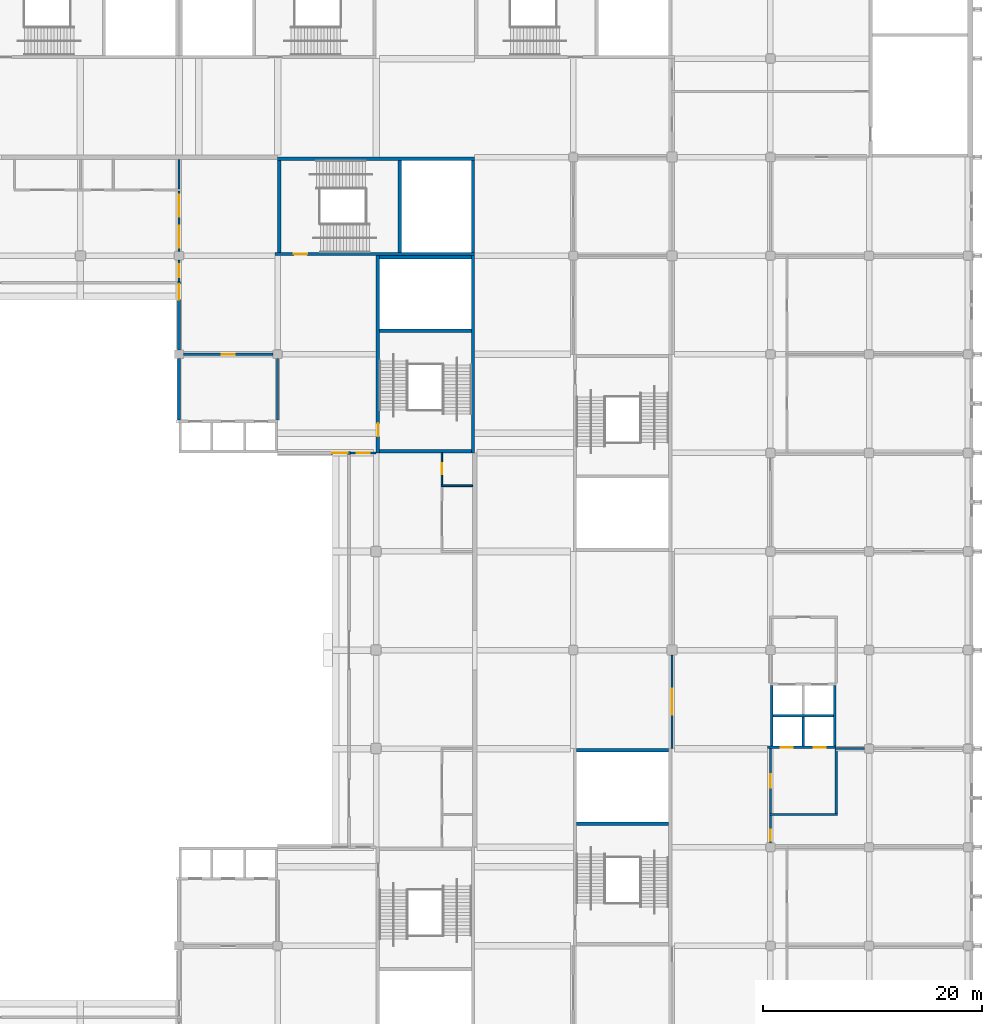
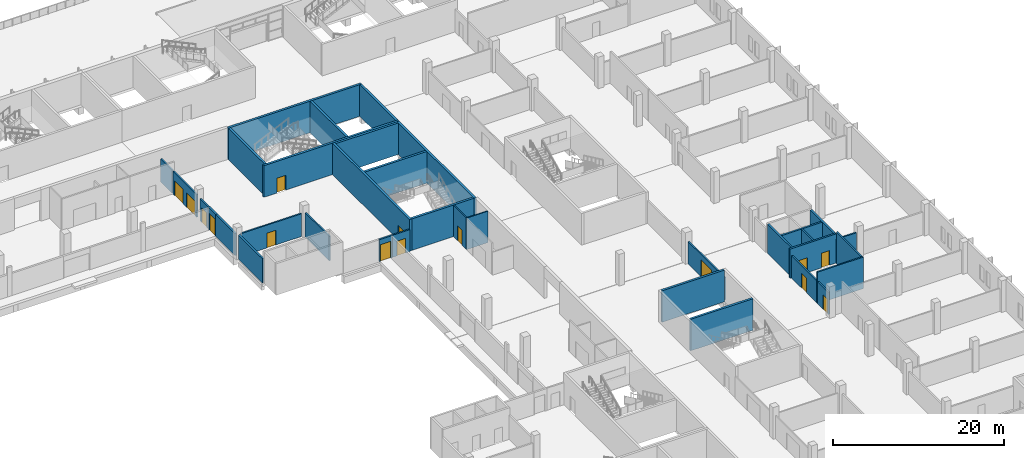
# One storey, part 103 of 168: 35 walls, 15 doors, 15 openings.
"""IFC4 building model written with IfcOpenShell, lengths in metres."""

from ifc_helpers import new_model, si_unit, direction, frame, frame_2d, origin, place, context, subcontext, project, spatial, rectangle, extrude, material, layer, layer_set, type_object, element, fill, save


model = new_model("IFC4")

# Units and contexts
model_context = context("Model", 3, precision=1e-05, world=origin(), true_north=direction((0.0, 1.0)))
body_context = subcontext(model_context, "Body", "Model", "MODEL_VIEW")
ifc_project = project(units=[si_unit("LENGTHUNIT", "METRE"), si_unit("AREAUNIT", "SQUARE_METRE"), si_unit("VOLUMEUNIT", "CUBIC_METRE"), si_unit("PLANEANGLEUNIT", "RADIAN"), si_unit("MASSUNIT", "GRAM", prefix="KILO")], contexts=[model_context])

# Site, building, storey
site_placement = place(None, origin())
site = spatial("IfcSite", under=ifc_project, at=site_placement, CompositionType="ELEMENT")
building_placement = place(site_placement, origin())
building = spatial("IfcBuilding", under=site, at=building_placement, Name="Silverbay Arena", CompositionType="ELEMENT")
storey_placement = place(building_placement, frame((0.0, 0.0, 7.0)))
storey = spatial("IfcBuildingStorey", under=building, at=storey_placement, Name="L01", CompositionType="ELEMENT", Elevation=7.0)

# Wall, opening, door
ifc_material_1 = material(Name="Concrete Grade C45", Category="concrete")
ifc_layer_1 = layer(ifc_material_1, 0.25)
ifc_layer_set_1 = layer_set([ifc_layer_1], Name="Concrete Grade C45")
wall_type_1 = type_object("IfcWallType", Name="Bowl enclosure wall RC 250 EI 120", PredefinedType="SOLIDWALL", material=ifc_layer_set_1)
wall_1_placement = place(storey_placement, frame((162.0, 112.89990234375, 0.0), z_axis=(0.0, 0.0, 1.0), x_axis=(0.0, 1.0, 0.0)))
wall_1 = element("IfcWall", 1, at=wall_1_placement, inside=storey, type_object=wall_type_1, Name="gangway North lower stand end", PredefinedType="SOLIDWALL", context=body_context, shape_type="SweptSolid", body=[
    extrude(rectangle(XDim=1.75, YDim=0.25, at=frame_2d((0.875, 0.0))), origin(), (0.0, 0.0, 1.0), 3.14990234375),
])
opening_1_placement = place(wall_1_placement, frame((0.10009765625, 0.0, 0.0)))
opening_1 = element("IfcOpeningElement", 2, at=opening_1_placement, cuts=wall_1, Name="Opening L01-154", PredefinedType="OPENING", context=body_context, shape_type="SweptSolid", body=[
    extrude(rectangle(XDim=1.39990234375, YDim=2.39990234375, at=frame_2d((0.699951171875, 1.199951171875))), frame((0.0, 0.135009765625, 0.0), z_axis=(0.0, -1.0, 0.0), x_axis=(1.0, 0.0, 0.0)), (0.0, 0.0, 1.0), 0.27001953125),
])
ifc_material_2 = material(Name="Steel", Category="steel")
door_type_1 = type_object("IfcDoorType", Name="Fire door set 1400 x 2400 FD120S gangway", OperationType="DOUBLE_DOOR_SINGLE_SWING", PredefinedType="DOOR", material=ifc_material_2)
door_1_placement = place(opening_1_placement, frame((1.39990234375, 0.0, 0.0), z_axis=(0.0, 0.0, 1.0), x_axis=(-1.0, 0.0, 0.0)))
door_1 = element("IfcDoor", 3, at=door_1_placement, inside=storey, type_object=door_type_1, Name="Fire door set L01 gangway North lower stand end", OperationType="DOUBLE_DOOR_SINGLE_SWING", OverallHeight=2.39990234375, OverallWidth=1.39990234375, PredefinedType="DOOR", context=body_context, shape_type="SweptSolid", body=[
    extrude(rectangle(XDim=1.39990234375, YDim=2.39990234375, at=frame_2d((0.699951171875, 1.199951171875))), frame((0.0, 0.02490234375, 0.0), z_axis=(0.0, -1.0, 0.0), x_axis=(1.0, 0.0, 0.0)), (0.0, 0.0, 1.0), 0.050048828125),
])
fill(opening_1, door_1)

wall_2_placement = place(storey_placement, frame((175.89990234375, 99.0, 0.0), z_axis=(0.0, 0.0, 1.0), x_axis=(1.0, 0.0, 0.0)))
wall_2 = element("IfcWall", 4, at=wall_2_placement, inside=storey, type_object=wall_type_1, Name="gangway East lower stand end", PredefinedType="SOLIDWALL", context=body_context, shape_type="SweptSolid", body=[
    extrude(rectangle(XDim=1.75, YDim=0.25, at=frame_2d((0.875, 0.0))), origin(), (0.0, 0.0, 1.0), 3.14990234375),
])
opening_2_placement = place(wall_2_placement, frame((0.10009765625, 0.0, 0.0)))
opening_2 = element("IfcOpeningElement", 5, at=opening_2_placement, cuts=wall_2, Name="Opening L01-158", PredefinedType="OPENING", context=body_context, shape_type="SweptSolid", body=[
    extrude(rectangle(XDim=1.39990234375, YDim=2.39990234375, at=frame_2d((0.699951171875, 1.199951171875))), frame((0.0, 0.135009765625, 0.0), z_axis=(0.0, -1.0, 0.0), x_axis=(1.0, 0.0, 0.0)), (0.0, 0.0, 1.0), 0.27001953125),
])
door_2_placement = place(opening_2_placement, origin())
door_2 = element("IfcDoor", 6, at=door_2_placement, inside=storey, type_object=door_type_1, Name="Fire door set L01 gangway East lower stand end", OperationType="DOUBLE_DOOR_SINGLE_SWING", OverallHeight=2.39990234375, OverallWidth=1.39990234375, PredefinedType="DOOR", context=body_context, shape_type="SweptSolid", body=[
    extrude(rectangle(XDim=1.39990234375, YDim=2.39990234375, at=frame_2d((0.699951171875, 1.199951171875))), frame((0.0, 0.02490234375, 0.0), z_axis=(0.0, -1.0, 0.0), x_axis=(1.0, 0.0, 0.0)), (0.0, 0.0, 1.0), 0.050048828125),
])
fill(opening_2, door_2)

# Walls
wall_3_placement = place(storey_placement, frame((162.0, 102.0, 0.0), z_axis=(0.0, 0.0, 1.0), x_axis=(0.0, 1.0, 0.0)))
element("IfcWall", 7, at=wall_3_placement, inside=storey, type_object=wall_type_1, Name="Bowl enclosure wall, corner block NE-x", PredefinedType="SOLIDWALL", context=body_context, shape_type="SweptSolid", body=[
    extrude(rectangle(XDim=5.60009765625, YDim=0.25, at=frame_2d((2.800048828125, 0.0))), origin(), (0.0, 0.0, 1.0), 3.449951171875),
])
wall_4_placement = place(storey_placement, frame((162.0, 108.39990234375, 0.0), z_axis=(0.0, 0.0, 1.0), x_axis=(0.0, 1.0, 0.0)))
element("IfcWall", 8, at=wall_4_placement, inside=storey, type_object=wall_type_1, Name="Bowl enclosure wall, corner block NE-x", PredefinedType="SOLIDWALL", context=body_context, shape_type="SweptSolid", body=[
    extrude(rectangle(XDim=4.5, YDim=0.25, at=frame_2d((2.25, 0.0))), origin(), (0.0, 0.0, 1.0), 3.14990234375),
])
ifc_material_3 = material(Name="Concrete Grade C45", Category="concrete")
ifc_layer_2 = layer(ifc_material_3, 0.300048828125)
ifc_layer_set_2 = layer_set([ifc_layer_2], Name="Concrete Grade C45")
wall_type_2 = type_object("IfcWallType", Name="Core wall RC 300 EI 120", PredefinedType="SHEAR", material=ifc_layer_set_2)
for number, where, z_axis, x_axis, name in (
    (9, (198.300048828125, 71.85009765625, 0.0), (0.0, 0.0, 1.0), (1.0, 0.0, 0.0), "Core wall ST-E1 L01 end 2"),
    (10, (198.300048828125, 65.14990234375, 0.0), (0.0, 0.0, 1.0), (1.0, 0.0, 0.0), "Core wall ST-E1 L01 stair enclosure"),
):
    element("IfcWall", number, at=place(storey_placement, frame(where, z_axis=z_axis, x_axis=x_axis)), inside=storey, type_object=wall_type_2, Name=name, PredefinedType="SHEAR", context=body_context, shape_type="SweptSolid", body=[
        extrude(rectangle(XDim=8.39990234375, YDim=0.300048828125, at=frame_2d((4.199951171875, 0.0))), origin(), (0.0, 0.0, 1.0), 4.5),
    ])

# Wall, opening, door
wall_5_placement = place(storey_placement, frame((170.75, 117.14990234375, 0.0), z_axis=(0.0, 0.0, 1.0), x_axis=(1.0, 0.0, 0.0)))
wall_5 = element("IfcWall", 11, at=wall_5_placement, inside=storey, type_object=wall_type_2, Name="Core wall ST-NE1 L01 door side", PredefinedType="SHEAR", context=body_context, shape_type="SweptSolid", body=[
    extrude(rectangle(XDim=18.25, YDim=0.300048828125, at=frame_2d((9.125, 0.0))), origin(), (0.0, 0.0, 1.0), 4.5),
])
opening_3_placement = place(wall_5_placement, frame((1.75, 0.0, 0.0)))
opening_3 = element("IfcOpeningElement", 12, at=opening_3_placement, cuts=wall_5, Name="Opening L01-123", PredefinedType="OPENING", context=body_context, shape_type="SweptSolid", body=[
    extrude(rectangle(XDim=1.199951171875, YDim=2.10009765625, at=frame_2d((0.60009765625, 1.050048828125))), frame((0.0, 0.16015625, 0.0), z_axis=(0.0, -1.0, 0.0), x_axis=(1.0, 0.0, 0.0)), (0.0, 0.0, 1.0), 0.320068359375),
])
ifc_material_4 = material(Name="Steel fire door", Category="steel")
door_type_2 = type_object("IfcDoorType", Name="Stair door 1200 x 2100 fire door", OperationType="SINGLE_SWING_LEFT", PredefinedType="DOOR", material=ifc_material_4)
door_3_placement = place(opening_3_placement, origin())
door_3 = element("IfcDoor", 13, at=door_3_placement, inside=storey, type_object=door_type_2, Name="Stair door ST-NE1 L01", OperationType="SINGLE_SWING_LEFT", OverallHeight=2.10009765625, OverallWidth=1.199951171875, PredefinedType="DOOR", context=body_context, shape_type="SweptSolid", body=[
    extrude(rectangle(XDim=1.199951171875, YDim=2.10009765625, at=frame_2d((0.60009765625, 1.050048828125))), frame((0.0, 0.02490234375, 0.0), z_axis=(0.0, -1.0, 0.0), x_axis=(1.0, 0.0, 0.0)), (0.0, 0.0, 1.0), 0.050048828125),
])
fill(opening_3, door_3)

# Walls
wall_6_placement = place(storey_placement, frame((171.0, 125.85009765625, 0.0), z_axis=(0.0, 0.0, 1.0), x_axis=(1.0, 0.0, 0.0)))
element("IfcWall", 14, at=wall_6_placement, inside=storey, type_object=wall_type_2, Name="Core wall ST-NE1 L01 far side", PredefinedType="SHEAR", context=body_context, shape_type="SweptSolid", body=[
    extrude(rectangle(XDim=18.0, YDim=0.300048828125, at=frame_2d((9.0, 0.0))), origin(), (0.0, 0.0, 1.0), 4.5),
])
for number, where, z_axis, x_axis, name in (
    (15, (171.14990234375, 117.300048828125, 0.0), (0.0, 0.0, 1.0), (0.0, 1.0, 0.0), "Core wall ST-NE1 L01 end 1"),
    (16, (188.85009765625, 117.300048828125, 0.0), (0.0, 0.0, 1.0), (0.0, 1.0, 0.0), "Core wall ST-NE1 L01 end 2"),
    (17, (182.14990234375, 117.300048828125, 0.0), (0.0, 0.0, 1.0), (0.0, 1.0, 0.0), "Core wall ST-NE1 L01 stair enclosure"),
):
    element("IfcWall", number, at=place(storey_placement, frame(where, z_axis=z_axis, x_axis=x_axis)), inside=storey, type_object=wall_type_2, Name=name, PredefinedType="SHEAR", context=body_context, shape_type="SweptSolid", body=[
        extrude(rectangle(XDim=8.39990234375, YDim=0.300048828125, at=frame_2d((4.199951171875, 0.0))), origin(), (0.0, 0.0, 1.0), 4.5),
    ])

# Wall, opening, door
wall_7_placement = place(storey_placement, frame((180.14990234375, 99.0, 0.0), z_axis=(0.0, 0.0, 1.0), x_axis=(0.0, 1.0, 0.0)))
wall_7 = element("IfcWall", 18, at=wall_7_placement, inside=storey, type_object=wall_type_2, Name="Core wall ST-NE2 L01 door side", PredefinedType="SHEAR", context=body_context, shape_type="SweptSolid", body=[
    extrude(rectangle(XDim=18.0, YDim=0.300048828125, at=frame_2d((9.0, 0.0))), origin(), (0.0, 0.0, 1.0), 4.5),
])
opening_4_placement = place(wall_7_placement, frame((1.5, 0.0, 0.0)))
opening_4 = element("IfcOpeningElement", 19, at=opening_4_placement, cuts=wall_7, Name="Opening L01-124", PredefinedType="OPENING", context=body_context, shape_type="SweptSolid", body=[
    extrude(rectangle(XDim=1.199951171875, YDim=2.10009765625, at=frame_2d((0.60009765625, 1.050048828125))), frame((0.0, 0.16015625, 0.0), z_axis=(0.0, -1.0, 0.0), x_axis=(1.0, 0.0, 0.0)), (0.0, 0.0, 1.0), 0.320068359375),
])
door_4_placement = place(opening_4_placement, frame((1.199951171875, 0.0, 0.0), z_axis=(0.0, 0.0, 1.0), x_axis=(-1.0, 0.0, 0.0)))
door_4 = element("IfcDoor", 20, at=door_4_placement, inside=storey, type_object=door_type_2, Name="Stair door ST-NE2 L01", OperationType="SINGLE_SWING_RIGHT", OverallHeight=2.10009765625, OverallWidth=1.199951171875, PredefinedType="DOOR", context=body_context, shape_type="SweptSolid", body=[
    extrude(rectangle(XDim=1.199951171875, YDim=2.10009765625, at=frame_2d((0.60009765625, 1.050048828125))), frame((0.0, 0.02490234375, 0.0), z_axis=(0.0, -1.0, 0.0), x_axis=(1.0, 0.0, 0.0)), (0.0, 0.0, 1.0), 0.050048828125),
])
fill(opening_4, door_4)

# Walls
wall_8_placement = place(storey_placement, frame((188.85009765625, 99.0, 0.0), z_axis=(0.0, 0.0, 1.0), x_axis=(0.0, 1.0, 0.0)))
element("IfcWall", 21, at=wall_8_placement, inside=storey, type_object=wall_type_2, Name="Core wall ST-NE2 L01 far side", PredefinedType="SHEAR", context=body_context, shape_type="SweptSolid", body=[
    extrude(rectangle(XDim=18.0, YDim=0.300048828125, at=frame_2d((9.0, 0.0))), origin(), (0.0, 0.0, 1.0), 4.5),
])
for number, where, z_axis, x_axis, name in (
    (22, (180.300048828125, 99.14990234375, 0.0), (0.0, 0.0, 1.0), (1.0, 0.0, 0.0), "Core wall ST-NE2 L01 end 1"),
    (23, (180.300048828125, 116.85009765625, 0.0), (0.0, 0.0, 1.0), (1.0, 0.0, 0.0), "Core wall ST-NE2 L01 end 2"),
    (24, (180.300048828125, 110.14990234375, 0.0), (0.0, 0.0, 1.0), (1.0, 0.0, 0.0), "Core wall ST-NE2 L01 stair enclosure"),
):
    element("IfcWall", number, at=place(storey_placement, frame(where, z_axis=z_axis, x_axis=x_axis)), inside=storey, type_object=wall_type_2, Name=name, PredefinedType="SHEAR", context=body_context, shape_type="SweptSolid", body=[
        extrude(rectangle(XDim=8.39990234375, YDim=0.300048828125, at=frame_2d((4.199951171875, 0.0))), origin(), (0.0, 0.0, 1.0), 4.5),
    ])
ifc_material_5 = material(Name="Concrete Grade C45", Category="concrete")
ifc_layer_3 = layer(ifc_material_5, 0.199951171875)
ifc_layer_set_3 = layer_set([ifc_layer_3], Name="Concrete Grade C45")
wall_type_3 = type_object("IfcWallType", Name="Lift shaft divider RC 200 EI 120", PredefinedType="SHEAR", material=ifc_layer_set_3)
wall_9_placement = place(storey_placement, frame((219.0, 72.25, 0.0), z_axis=(0.0, 0.0, 1.0), x_axis=(0.0, 1.0, 0.0)))
element("IfcWall", 25, at=wall_9_placement, inside=storey, type_object=wall_type_3, Name="Lift shaft divider LB-EG L01 s", PredefinedType="SHEAR", context=body_context, shape_type="SweptSolid", body=[
    extrude(rectangle(XDim=2.625, YDim=0.199951171875, at=frame_2d((1.3125, 0.0))), origin(), (0.0, 0.0, 1.0), 4.14990234375),
])

# Wall, openings, doors
ifc_material_6 = material(Name="Concrete Grade C45", Category="concrete")
ifc_layer_4 = layer(ifc_material_6, 0.25)
ifc_layer_set_4 = layer_set([ifc_layer_4], Name="Concrete Grade C45")
wall_type_4 = type_object("IfcWallType", Name="Lift shaft wall RC 250 EI 120", PredefinedType="SHEAR", material=ifc_layer_set_4)
wall_10_placement = place(storey_placement, frame((215.75, 72.125, 0.0), z_axis=(0.0, 0.0, 1.0), x_axis=(1.0, 0.0, 0.0)))
wall_10 = element("IfcWall", 26, at=wall_10_placement, inside=storey, type_object=wall_type_4, Name="Lift shaft wall LB-EG L01 south", PredefinedType="SHEAR", context=body_context, shape_type="SweptSolid", body=[
    extrude(rectangle(XDim=6.25, YDim=0.25, at=frame_2d((3.125, 0.0))), origin(), (0.0, 0.0, 1.0), 4.14990234375),
])
opening_5_placement = place(wall_10_placement, frame((1.199951171875, 0.0, 0.0)))
opening_5 = element("IfcOpeningElement", 27, at=opening_5_placement, cuts=wall_10, Name="Opening L01-145", PredefinedType="OPENING", context=body_context, shape_type="SweptSolid", body=[
    extrude(rectangle(XDim=1.10009765625, YDim=2.10009765625, at=frame_2d((0.550048828125, 1.050048828125))), frame((0.0, 0.135009765625, 0.0), z_axis=(0.0, -1.0, 0.0), x_axis=(1.0, 0.0, 0.0)), (0.0, 0.0, 1.0), 0.27001953125),
])
opening_6_placement = place(wall_10_placement, frame((4.199951171875, 0.0, 0.0)))
opening_6 = element("IfcOpeningElement", 28, at=opening_6_placement, cuts=wall_10, Name="Opening L01-146", PredefinedType="OPENING", context=body_context, shape_type="SweptSolid", body=[
    extrude(rectangle(XDim=1.10009765625, YDim=2.10009765625, at=frame_2d((0.550048828125, 1.050048828125))), frame((0.0, 0.135009765625, 0.0), z_axis=(0.0, -1.0, 0.0), x_axis=(1.0, 0.0, 0.0)), (0.0, 0.0, 1.0), 0.27001953125),
])
ifc_material_7 = material(Name="Stainless steel", Category="steel")
door_type_3 = type_object("IfcDoorType", Name="LD1 lift landing door 1100 x 2100", OperationType="DOUBLE_DOOR_SLIDING", PredefinedType="DOOR", material=ifc_material_7)
door_5_placement = place(opening_5_placement, origin())
door_5 = element("IfcDoor", 29, at=door_5_placement, inside=storey, type_object=door_type_3, Name="Lift landing door LF20 L01", OperationType="DOUBLE_DOOR_SLIDING", OverallHeight=2.10009765625, OverallWidth=1.10009765625, PredefinedType="DOOR", context=body_context, shape_type="SweptSolid", body=[
    extrude(rectangle(XDim=1.10009765625, YDim=2.10009765625, at=frame_2d((0.550048828125, 1.050048828125))), frame((0.0, 0.02490234375, 0.0), z_axis=(0.0, -1.0, 0.0), x_axis=(1.0, 0.0, 0.0)), (0.0, 0.0, 1.0), 0.050048828125),
])
fill(opening_5, door_5)
door_6_placement = place(opening_6_placement, origin())
door_6 = element("IfcDoor", 30, at=door_6_placement, inside=storey, type_object=door_type_3, Name="Lift landing door LF21 L01", OperationType="DOUBLE_DOOR_SLIDING", OverallHeight=2.10009765625, OverallWidth=1.10009765625, PredefinedType="DOOR", context=body_context, shape_type="SweptSolid", body=[
    extrude(rectangle(XDim=1.10009765625, YDim=2.10009765625, at=frame_2d((0.550048828125, 1.050048828125))), frame((0.0, 0.02490234375, 0.0), z_axis=(0.0, -1.0, 0.0), x_axis=(1.0, 0.0, 0.0)), (0.0, 0.0, 1.0), 0.050048828125),
])
fill(opening_6, door_6)

# Walls
wall_11_placement = place(storey_placement, frame((216.0, 75.0, 0.0), z_axis=(0.0, 0.0, 1.0), x_axis=(1.0, 0.0, 0.0)))
element("IfcWall", 31, at=wall_11_placement, inside=storey, type_object=wall_type_4, Name="Lift shaft wall LB-EG L01 middle", PredefinedType="SHEAR", context=body_context, shape_type="SweptSolid", body=[
    extrude(rectangle(XDim=6.0, YDim=0.25, at=frame_2d((3.0, 0.0))), origin(), (0.0, 0.0, 1.0), 4.14990234375),
])
for number, where, z_axis, x_axis, name in (
    (32, (216.125, 72.25, 0.0), (0.0, 0.0, 1.0), (0.0, 1.0, 0.0), "Lift shaft wall LB-EG L01 end"),
    (33, (221.875, 72.25, 0.0), (0.0, 0.0, 1.0), (0.0, 1.0, 0.0), "Lift shaft wall LB-EG L01 end"),
):
    element("IfcWall", number, at=place(storey_placement, frame(where, z_axis=z_axis, x_axis=x_axis)), inside=storey, type_object=wall_type_4, Name=name, PredefinedType="SHEAR", context=body_context, shape_type="SweptSolid", body=[
        extrude(rectangle(XDim=5.5, YDim=0.25, at=frame_2d((2.75, 0.0))), origin(), (0.0, 0.0, 1.0), 4.14990234375),
    ])
ifc_material_8 = material(Name="Gypsum board partition on steel studs", Category="steel")
ifc_layer_5 = layer(ifc_material_8, 0.14990234375)
ifc_layer_set_5 = layer_set([ifc_layer_5], Name="Gypsum board partition on steel studs")
wall_type_5 = type_object("IfcWallType", Name="Partition 150 EI 60", PredefinedType="PARTITIONING", material=ifc_layer_set_5)
wall_12_placement = place(storey_placement, frame((185.925048828125, 96.0, 0.0), z_axis=(0.0, 0.0, 1.0), x_axis=(1.0, 0.0, 0.0)))
element("IfcWall", 34, at=wall_12_placement, inside=storey, type_object=wall_type_5, Name="Partition wall", PredefinedType="PARTITIONING", context=body_context, shape_type="SweptSolid", body=[
    extrude(rectangle(XDim=2.875, YDim=0.14990234375, at=frame_2d((1.4375, 0.0))), origin(), (0.0, 0.0, 1.0), 4.5),
])

# Wall, opening, door
wall_13_placement = place(storey_placement, frame((186.0, 96.074951171875, 0.0), z_axis=(0.0, 0.0, 1.0), x_axis=(0.0, 1.0, 0.0)))
wall_13 = element("IfcWall", 35, at=wall_13_placement, inside=storey, type_object=wall_type_5, Name="Partition wall", PredefinedType="PARTITIONING", context=body_context, shape_type="SweptSolid", body=[
    extrude(rectangle(XDim=2.925048828125, YDim=0.14990234375, at=frame_2d((1.46240234375, 0.0))), origin(), (0.0, 0.0, 1.0), 4.5),
])
opening_7_placement = place(wall_13_placement, frame((0.9619140625, 0.0, 0.0)))
opening_7 = element("IfcOpeningElement", 36, at=opening_7_placement, cuts=wall_13, Name="Opening L01-038", PredefinedType="OPENING", context=body_context, shape_type="SweptSolid", body=[
    extrude(rectangle(XDim=1.0, YDim=2.10009765625, at=frame_2d((0.5, 1.050048828125))), frame((0.0, 0.0849609375, 0.0), z_axis=(0.0, -1.0, 0.0), x_axis=(1.0, 0.0, 0.0)), (0.0, 0.0, 1.0), 0.169921875),
])
ifc_material_9 = material(Name="Steel faced timber", Category="steel")
door_type_4 = type_object("IfcDoorType", Name="Single leaf door 1000 x 2100 FD30S", OperationType="SINGLE_SWING_LEFT", PredefinedType="DOOR", material=ifc_material_9)
door_7_placement = place(opening_7_placement, frame((1.0, 0.0, 0.0), z_axis=(0.0, 0.0, 1.0), x_axis=(-1.0, 0.0, 0.0)))
door_7 = element("IfcDoor", 37, at=door_7_placement, inside=storey, type_object=door_type_4, Name="Door L01-038", OperationType="SINGLE_SWING_LEFT", OverallHeight=2.10009765625, OverallWidth=1.0, PredefinedType="DOOR", context=body_context, shape_type="SweptSolid", body=[
    extrude(rectangle(XDim=1.0, YDim=2.10009765625, at=frame_2d((0.5, 1.050048828125))), frame((0.0, 0.02490234375, 0.0), z_axis=(0.0, -1.0, 0.0), x_axis=(1.0, 0.0, 0.0)), (0.0, 0.0, 1.0), 0.050048828125),
])
fill(opening_7, door_7)

# Walls
ifc_material_10 = material(Name="Masonry blockwork partition", Category="masonry")
ifc_layer_6 = layer(ifc_material_10, 0.199951171875)
ifc_layer_set_6 = layer_set([ifc_layer_6], Name="Masonry blockwork partition")
wall_type_6 = type_object("IfcWallType", Name="Partition 200 EI 120", PredefinedType="PARTITIONING", material=ifc_layer_set_6)
wall_14_placement = place(storey_placement, frame((215.89990234375, 66.0, 0.0), z_axis=(0.0, 0.0, 1.0), x_axis=(1.0, 0.0, 0.0)))
element("IfcWall", 38, at=wall_14_placement, inside=storey, type_object=wall_type_6, Name="Partition wall", PredefinedType="PARTITIONING", context=body_context, shape_type="SweptSolid", body=[
    extrude(rectangle(XDim=6.2001953125, YDim=0.199951171875, at=frame_2d((3.10009765625, 0.0))), origin(), (0.0, 0.0, 1.0), 4.5),
])
wall_15_placement = place(storey_placement, frame((221.89990234375, 72.0, 0.0), z_axis=(0.0, 0.0, 1.0), x_axis=(1.0, 0.0, 0.0)))
element("IfcWall", 39, at=wall_15_placement, inside=storey, type_object=wall_type_6, Name="Partition wall", PredefinedType="PARTITIONING", context=body_context, shape_type="SweptSolid", body=[
    extrude(rectangle(XDim=2.7001953125, YDim=0.199951171875, at=frame_2d((1.35009765625, 0.0))), origin(), (0.0, 0.0, 1.0), 3.449951171875),
])

# Wall, opening, door
wall_16_placement = place(storey_placement, frame((177.64990234375, 99.0, 0.0), z_axis=(0.0, 0.0, 1.0), x_axis=(1.0, 0.0, 0.0)))
wall_16 = element("IfcWall", 40, at=wall_16_placement, inside=storey, type_object=wall_type_6, Name="Partition wall", PredefinedType="PARTITIONING", context=body_context, shape_type="SweptSolid", body=[
    extrude(rectangle(XDim=2.35009765625, YDim=0.199951171875, at=frame_2d((1.175048828125, 0.0))), origin(), (0.0, 0.0, 1.0), 3.14990234375),
])
opening_8_placement = place(wall_16_placement, frame((0.574951171875, 0.0, 0.0)))
opening_8 = element("IfcOpeningElement", 41, at=opening_8_placement, cuts=wall_16, Name="Opening L01-080", PredefinedType="OPENING", context=body_context, shape_type="SweptSolid", body=[
    extrude(rectangle(XDim=1.199951171875, YDim=2.10009765625, at=frame_2d((0.60009765625, 1.050048828125))), frame((0.0, 0.10986328125, 0.0), z_axis=(0.0, -1.0, 0.0), x_axis=(1.0, 0.0, 0.0)), (0.0, 0.0, 1.0), 0.219970703125),
])
ifc_material_11 = material(Name="Steel faced timber", Category="steel")
door_type_5 = type_object("IfcDoorType", Name="Single leaf door 1200 x 2100 FD60", OperationType="SINGLE_SWING_LEFT", PredefinedType="DOOR", material=ifc_material_11)
door_8_placement = place(opening_8_placement, origin())
door_8 = element("IfcDoor", 42, at=door_8_placement, inside=storey, type_object=door_type_5, Name="Door L01-080", OperationType="SINGLE_SWING_RIGHT", OverallHeight=2.10009765625, OverallWidth=1.199951171875, PredefinedType="DOOR", context=body_context, shape_type="SweptSolid", body=[
    extrude(rectangle(XDim=1.199951171875, YDim=2.10009765625, at=frame_2d((0.60009765625, 1.050048828125))), frame((0.0, 0.02490234375, 0.0), z_axis=(0.0, -1.0, 0.0), x_axis=(1.0, 0.0, 0.0)), (0.0, 0.0, 1.0), 0.050048828125),
])
fill(opening_8, door_8)

wall_17_placement = place(storey_placement, frame((162.39990234375, 108.0, 0.0), z_axis=(0.0, 0.0, 1.0), x_axis=(1.0, 0.0, 0.0)))
wall_17 = element("IfcWall", 43, at=wall_17_placement, inside=storey, type_object=wall_type_6, Name="Partition wall", PredefinedType="PARTITIONING", context=body_context, shape_type="SweptSolid", body=[
    extrude(rectangle(XDim=8.2001953125, YDim=0.199951171875, at=frame_2d((4.10009765625, 0.0))), origin(), (0.0, 0.0, 1.0), 3.25),
])
opening_9_placement = place(wall_17_placement, frame((3.5, 0.0, 0.0)))
opening_9 = element("IfcOpeningElement", 44, at=opening_9_placement, cuts=wall_17, Name="Opening L01-016", PredefinedType="OPENING", context=body_context, shape_type="SweptSolid", body=[
    extrude(rectangle(XDim=1.199951171875, YDim=2.10009765625, at=frame_2d((0.60009765625, 1.050048828125))), frame((0.0, 0.10986328125, 0.0), z_axis=(0.0, -1.0, 0.0), x_axis=(1.0, 0.0, 0.0)), (0.0, 0.0, 1.0), 0.219970703125),
])
door_9_placement = place(opening_9_placement, origin())
door_9 = element("IfcDoor", 45, at=door_9_placement, inside=storey, type_object=door_type_5, Name="Door L01-016", OperationType="SINGLE_SWING_RIGHT", OverallHeight=2.10009765625, OverallWidth=1.199951171875, PredefinedType="DOOR", context=body_context, shape_type="SweptSolid", body=[
    extrude(rectangle(XDim=1.199951171875, YDim=2.10009765625, at=frame_2d((0.60009765625, 1.050048828125))), frame((0.0, 0.02490234375, 0.0), z_axis=(0.0, -1.0, 0.0), x_axis=(1.0, 0.0, 0.0)), (0.0, 0.0, 1.0), 0.050048828125),
])
fill(opening_9, door_9)

wall_18_placement = place(storey_placement, frame((162.0, 114.64990234375, 0.0), z_axis=(0.0, 0.0, 1.0), x_axis=(0.0, 1.0, 0.0)))
wall_18 = element("IfcWall", 46, at=wall_18_placement, inside=storey, type_object=wall_type_6, Name="Partition wall", PredefinedType="PARTITIONING", context=body_context, shape_type="SweptSolid", body=[
    extrude(rectangle(XDim=1.9501953125, YDim=0.199951171875, at=frame_2d((0.97509765625, 0.0))), origin(), (0.0, 0.0, 1.0), 3.14990234375),
])
opening_10_placement = place(wall_18_placement, frame((0.375, 0.0, 0.0)))
opening_10 = element("IfcOpeningElement", 47, at=opening_10_placement, cuts=wall_18, Name="Opening L01-074", PredefinedType="OPENING", context=body_context, shape_type="SweptSolid", body=[
    extrude(rectangle(XDim=1.199951171875, YDim=2.10009765625, at=frame_2d((0.60009765625, 1.050048828125))), frame((0.0, 0.10986328125, 0.0), z_axis=(0.0, -1.0, 0.0), x_axis=(1.0, 0.0, 0.0)), (0.0, 0.0, 1.0), 0.219970703125),
])
door_10_placement = place(opening_10_placement, frame((1.199951171875, 0.0, 0.0), z_axis=(0.0, 0.0, 1.0), x_axis=(-1.0, 0.0, 0.0)))
door_10 = element("IfcDoor", 48, at=door_10_placement, inside=storey, type_object=door_type_5, Name="Door L01-074", OperationType="SINGLE_SWING_LEFT", OverallHeight=2.10009765625, OverallWidth=1.199951171875, PredefinedType="DOOR", context=body_context, shape_type="SweptSolid", body=[
    extrude(rectangle(XDim=1.199951171875, YDim=2.10009765625, at=frame_2d((0.60009765625, 1.050048828125))), frame((0.0, 0.02490234375, 0.0), z_axis=(0.0, -1.0, 0.0), x_axis=(1.0, 0.0, 0.0)), (0.0, 0.0, 1.0), 0.050048828125),
])
fill(opening_10, door_10)

# Wall, openings, doors
wall_19_placement = place(storey_placement, frame((162.0, 117.39990234375, 0.0), z_axis=(0.0, 0.0, 1.0), x_axis=(0.0, 1.0, 0.0)))
wall_19 = element("IfcWall", 49, at=wall_19_placement, inside=storey, type_object=wall_type_6, Name="Partition wall", PredefinedType="PARTITIONING", context=body_context, shape_type="SweptSolid", body=[
    extrude(rectangle(XDim=5.5, YDim=0.199951171875, at=frame_2d((2.75, 0.0))), origin(), (0.0, 0.0, 1.0), 3.25),
])
opening_11_placement = place(wall_19_placement, frame((0.35009765625, 0.0, 0.0)))
opening_11 = element("IfcOpeningElement", 50, at=opening_11_placement, cuts=wall_19, Name="Opening L01-075", PredefinedType="OPENING", context=body_context, shape_type="SweptSolid", body=[
    extrude(rectangle(XDim=2.0, YDim=2.10009765625, at=frame_2d((1.0, 1.050048828125))), frame((0.0, 0.10986328125, 0.0), z_axis=(0.0, -1.0, 0.0), x_axis=(1.0, 0.0, 0.0)), (0.0, 0.0, 1.0), 0.219970703125),
])
opening_12_placement = place(wall_19_placement, frame((3.14990234375, 0.0, 0.0)))
opening_12 = element("IfcOpeningElement", 51, at=opening_12_placement, cuts=wall_19, Name="Opening L01-076", PredefinedType="OPENING", context=body_context, shape_type="SweptSolid", body=[
    extrude(rectangle(XDim=2.0, YDim=2.10009765625, at=frame_2d((1.0, 1.050048828125))), frame((0.0, 0.10986328125, 0.0), z_axis=(0.0, -1.0, 0.0), x_axis=(1.0, 0.0, 0.0)), (0.0, 0.0, 1.0), 0.219970703125),
])
ifc_material_12 = material(Name="Steel faced timber", Category="steel")
door_type_6 = type_object("IfcDoorType", Name="Double leaf door 2000 x 2100 FD120", OperationType="DOUBLE_DOOR_DOUBLE_SWING", PredefinedType="DOOR", material=ifc_material_12)
door_11_placement = place(opening_12_placement, frame((2.0, 0.0, 0.0), z_axis=(0.0, 0.0, 1.0), x_axis=(-1.0, 0.0, 0.0)))
door_11 = element("IfcDoor", 52, at=door_11_placement, inside=storey, type_object=door_type_6, Name="Door L01-076", OperationType="DOUBLE_DOOR_DOUBLE_SWING", OverallHeight=2.10009765625, OverallWidth=2.0, PredefinedType="DOOR", context=body_context, shape_type="SweptSolid", body=[
    extrude(rectangle(XDim=2.0, YDim=2.10009765625, at=frame_2d((1.0, 1.050048828125))), frame((0.0, 0.02490234375, 0.0), z_axis=(0.0, -1.0, 0.0), x_axis=(1.0, 0.0, 0.0)), (0.0, 0.0, 1.0), 0.050048828125),
])
fill(opening_12, door_11)
ifc_material_13 = material(Name="Steel faced timber", Category="steel")
door_type_7 = type_object("IfcDoorType", Name="Double leaf door 2000 x 2100 FD60", OperationType="DOUBLE_DOOR_DOUBLE_SWING", PredefinedType="DOOR", material=ifc_material_13)
door_12_placement = place(opening_11_placement, frame((2.0, 0.0, 0.0), z_axis=(0.0, 0.0, 1.0), x_axis=(-1.0, 0.0, 0.0)))
door_12 = element("IfcDoor", 53, at=door_12_placement, inside=storey, type_object=door_type_7, Name="Door L01-075", OperationType="DOUBLE_DOOR_DOUBLE_SWING", OverallHeight=2.10009765625, OverallWidth=2.0, PredefinedType="DOOR", context=body_context, shape_type="SweptSolid", body=[
    extrude(rectangle(XDim=2.0, YDim=2.10009765625, at=frame_2d((1.0, 1.050048828125))), frame((0.0, 0.02490234375, 0.0), z_axis=(0.0, -1.0, 0.0), x_axis=(1.0, 0.0, 0.0)), (0.0, 0.0, 1.0), 0.050048828125),
])
fill(opening_11, door_12)

# Walls
wall_20_placement = place(storey_placement, frame((162.0, 123.10009765625, 0.0), z_axis=(0.0, 0.0, 1.0), x_axis=(0.0, 1.0, 0.0)))
element("IfcWall", 54, at=wall_20_placement, inside=storey, type_object=wall_type_6, Name="Partition wall", PredefinedType="PARTITIONING", context=body_context, shape_type="SweptSolid", body=[
    extrude(rectangle(XDim=2.699951171875, YDim=0.199951171875, at=frame_2d((1.35009765625, 0.0))), origin(), (0.0, 0.0, 1.0), 3.25),
])
wall_21_placement = place(storey_placement, frame((171.0, 102.0, 0.0), z_axis=(0.0, 0.0, 1.0), x_axis=(0.0, 1.0, 0.0)))
element("IfcWall", 55, at=wall_21_placement, inside=storey, type_object=wall_type_6, Name="Partition wall", PredefinedType="PARTITIONING", context=body_context, shape_type="SweptSolid", body=[
    extrude(rectangle(XDim=5.60009765625, YDim=0.199951171875, at=frame_2d((2.800048828125, 0.0))), origin(), (0.0, 0.0, 1.0), 3.449951171875),
])

# Wall, opening, door
wall_22_placement = place(storey_placement, frame((207.0, 72.0, 0.0), z_axis=(0.0, 0.0, 1.0), x_axis=(0.0, 1.0, 0.0)))
wall_22 = element("IfcWall", 56, at=wall_22_placement, inside=storey, type_object=wall_type_6, Name="Partition wall", PredefinedType="PARTITIONING", context=body_context, shape_type="SweptSolid", body=[
    extrude(rectangle(XDim=8.550048828125, YDim=0.199951171875, at=frame_2d((4.27490234375, 0.0))), origin(), (0.0, 0.0, 1.0), 3.14990234375),
])
opening_13_placement = place(wall_22_placement, frame((3.074951171875, 0.0, 0.0)))
opening_13 = element("IfcOpeningElement", 57, at=opening_13_placement, cuts=wall_22, Name="Opening L01-060", PredefinedType="OPENING", context=body_context, shape_type="SweptSolid", body=[
    extrude(rectangle(XDim=2.39990234375, YDim=2.39990234375, at=frame_2d((1.199951171875, 1.199951171875))), frame((0.0, 0.10986328125, 0.0), z_axis=(0.0, -1.0, 0.0), x_axis=(1.0, 0.0, 0.0)), (0.0, 0.0, 1.0), 0.219970703125),
])
ifc_material_14 = material(Name="Steel faced timber", Category="steel")
door_type_8 = type_object("IfcDoorType", Name="Double leaf door 2400 x 2400 FD120", OperationType="DOUBLE_DOOR_DOUBLE_SWING", PredefinedType="DOOR", material=ifc_material_14)
door_13_placement = place(opening_13_placement, frame((2.39990234375, 0.0, 0.0), z_axis=(0.0, 0.0, 1.0), x_axis=(-1.0, 0.0, 0.0)))
door_13 = element("IfcDoor", 58, at=door_13_placement, inside=storey, type_object=door_type_8, Name="Door L01-060", OperationType="DOUBLE_DOOR_DOUBLE_SWING", OverallHeight=2.39990234375, OverallWidth=2.39990234375, PredefinedType="DOOR", context=body_context, shape_type="SweptSolid", body=[
    extrude(rectangle(XDim=2.39990234375, YDim=2.39990234375, at=frame_2d((1.199951171875, 1.199951171875))), frame((0.0, 0.02490234375, 0.0), z_axis=(0.0, -1.0, 0.0), x_axis=(1.0, 0.0, 0.0)), (0.0, 0.0, 1.0), 0.050048828125),
])
fill(opening_13, door_13)

wall_23_placement = place(storey_placement, frame((216.0, 63.39990234375, 0.0), z_axis=(0.0, 0.0, 1.0), x_axis=(0.0, 1.0, 0.0)))
wall_23 = element("IfcWall", 59, at=wall_23_placement, inside=storey, type_object=wall_type_6, Name="Partition wall", PredefinedType="PARTITIONING", context=body_context, shape_type="SweptSolid", body=[
    extrude(rectangle(XDim=2.5, YDim=0.199951171875, at=frame_2d((1.25, 0.0))), origin(), (0.0, 0.0, 1.0), 3.14990234375),
])
opening_14_placement = place(wall_23_placement, frame((0.199951171875, 0.0, 0.0)))
opening_14 = element("IfcOpeningElement", 60, at=opening_14_placement, cuts=wall_23, Name="Opening L01-083", PredefinedType="OPENING", context=body_context, shape_type="SweptSolid", body=[
    extrude(rectangle(XDim=1.0, YDim=2.10009765625, at=frame_2d((0.5, 1.050048828125))), frame((0.0, 0.10986328125, 0.0), z_axis=(0.0, -1.0, 0.0), x_axis=(1.0, 0.0, 0.0)), (0.0, 0.0, 1.0), 0.219970703125),
])
ifc_material_15 = material(Name="Steel faced timber", Category="steel")
door_type_9 = type_object("IfcDoorType", Name="Single leaf door 1000 x 2100 FD120", OperationType="SINGLE_SWING_LEFT", PredefinedType="DOOR", material=ifc_material_15)
door_14_placement = place(opening_14_placement, frame((1.0, 0.0, 0.0), z_axis=(0.0, 0.0, 1.0), x_axis=(-1.0, 0.0, 0.0)))
door_14 = element("IfcDoor", 61, at=door_14_placement, inside=storey, type_object=door_type_9, Name="Door L01-083", OperationType="SINGLE_SWING_RIGHT", OverallHeight=2.10009765625, OverallWidth=1.0, PredefinedType="DOOR", context=body_context, shape_type="SweptSolid", body=[
    extrude(rectangle(XDim=1.0, YDim=2.10009765625, at=frame_2d((0.5, 1.050048828125))), frame((0.0, 0.02490234375, 0.0), z_axis=(0.0, -1.0, 0.0), x_axis=(1.0, 0.0, 0.0)), (0.0, 0.0, 1.0), 0.050048828125),
])
fill(opening_14, door_14)

wall_24_placement = place(storey_placement, frame((216.0, 66.10009765625, 0.0), z_axis=(0.0, 0.0, 1.0), x_axis=(0.0, 1.0, 0.0)))
wall_24 = element("IfcWall", 62, at=wall_24_placement, inside=storey, type_object=wall_type_6, Name="Partition wall", PredefinedType="PARTITIONING", context=body_context, shape_type="SweptSolid", body=[
    extrude(rectangle(XDim=5.89990234375, YDim=0.199951171875, at=frame_2d((2.949951171875, 0.0))), origin(), (0.0, 0.0, 1.0), 3.14990234375),
])
opening_15_placement = place(wall_24_placement, frame((2.35009765625, 0.0, 0.0)))
opening_15 = element("IfcOpeningElement", 63, at=opening_15_placement, cuts=wall_24, Name="Opening L01-057", PredefinedType="OPENING", context=body_context, shape_type="SweptSolid", body=[
    extrude(rectangle(XDim=1.199951171875, YDim=2.10009765625, at=frame_2d((0.60009765625, 1.050048828125))), frame((0.0, 0.10986328125, 0.0), z_axis=(0.0, -1.0, 0.0), x_axis=(1.0, 0.0, 0.0)), (0.0, 0.0, 1.0), 0.219970703125),
])
door_15_placement = place(opening_15_placement, origin())
door_15 = element("IfcDoor", 64, at=door_15_placement, inside=storey, type_object=door_type_5, Name="Door L01-057", OperationType="SINGLE_SWING_LEFT", OverallHeight=2.10009765625, OverallWidth=1.199951171875, PredefinedType="DOOR", context=body_context, shape_type="SweptSolid", body=[
    extrude(rectangle(XDim=1.199951171875, YDim=2.10009765625, at=frame_2d((0.60009765625, 1.050048828125))), frame((0.0, 0.02490234375, 0.0), z_axis=(0.0, -1.0, 0.0), x_axis=(1.0, 0.0, 0.0)), (0.0, 0.0, 1.0), 0.050048828125),
])
fill(opening_15, door_15)

# Wall
wall_25_placement = place(storey_placement, frame((222.0, 66.10009765625, 0.0), z_axis=(0.0, 0.0, 1.0), x_axis=(0.0, 1.0, 0.0)))
element("IfcWall", 65, at=wall_25_placement, inside=storey, type_object=wall_type_6, Name="Partition wall", PredefinedType="PARTITIONING", context=body_context, shape_type="SweptSolid", body=[
    extrude(rectangle(XDim=5.7998046875, YDim=0.199951171875, at=frame_2d((2.89990234375, 0.0))), origin(), (0.0, 0.0, 1.0), 4.5),
])

save(model, "model.ifc")
